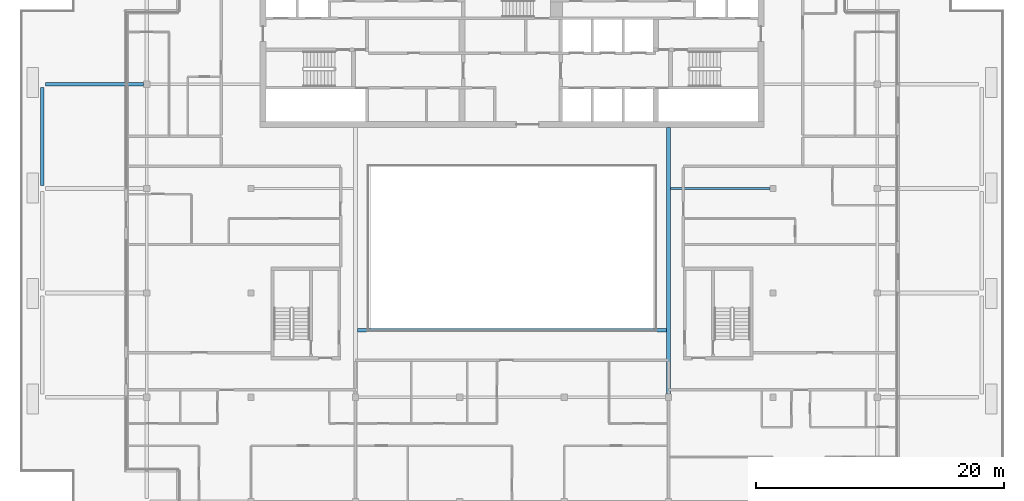
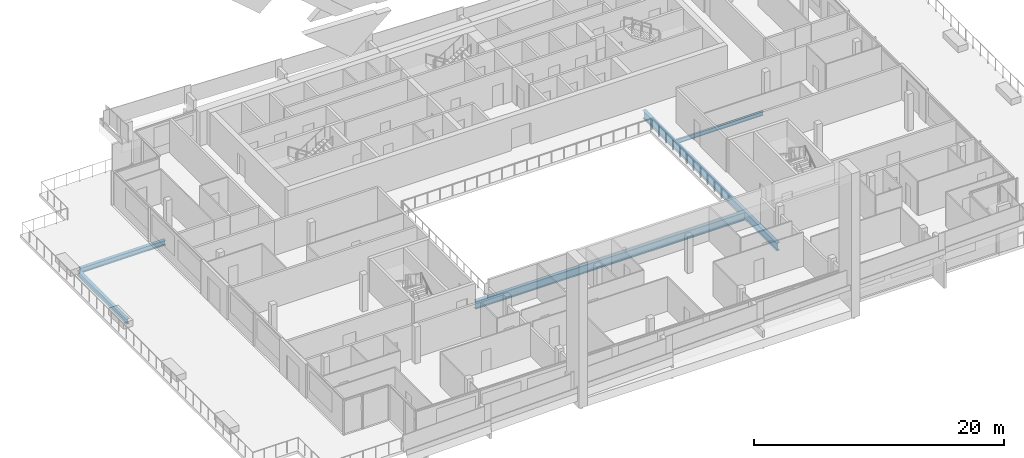
# One storey, part 8 of 29: 5 beams.
"""IFC4 building model written with IfcOpenShell, lengths in metres."""

import ifcopenshell
import ifcopenshell.guid

model = None  # the IFC model being written
_history = None  # IfcOwnerHistory: only IFC2X3 demands one
_inside = {}  # id of a spatial element -> (the spatial element, [elements in it])
_under = {}  # id of a project, library or spatial element -> (it, [spatial elements below it])
_declared = {}  # id of a project -> (the project, [libraries it declares])
_typed = {}  # id of a type object -> (the type object, [elements of that type])
_made_of = {}  # id of a material, layer set ... -> (it, [elements and type objects made of it])


def new_model(schema):
    """Start an empty IFC model of exactly this schema.

    Asked for "IFC4X3", IfcOpenShell would pick the latest addendum, in which some entities
    have other attributes; the version numbers below select the first issue.
    IFC2X3 requires an IfcOwnerHistory on every rooted entity: one is made here for all.
    """
    global model, _history
    if schema == "IFC4X3":
        model = ifcopenshell.file(schema_version=(4, 3, 0, 0))
    else:
        model = ifcopenshell.file(schema=schema)
    _inside.clear()
    _under.clear()
    _declared.clear()
    _typed.clear()
    _made_of.clear()
    _history = None
    if model.schema == "IFC2X3":
        org = make("IfcOrganization", Name="unknown")
        user = make(
            "IfcPersonAndOrganization",
            ThePerson=make("IfcPerson", FamilyName="unknown"),
            TheOrganization=org,
        )
        app = make(
            "IfcApplication",
            ApplicationDeveloper=org,
            Version="unknown",
            ApplicationFullName="unknown",
            ApplicationIdentifier="unknown",
        )
        _history = make(
            "IfcOwnerHistory",
            OwningUser=user,
            OwningApplication=app,
            ChangeAction="ADDED",
            CreationDate=0,
        )
    return model


def make(cls, **values):
    """One entity of the class cls with the attributes given. An attribute that is None is left unset."""
    return model.create_entity(
        cls, **{name: value for name, value in values.items() if value is not None}
    )


def rooted(cls, **values):
    """An entity with a GlobalId (a new one), such as an element, a storey or a relation."""
    return make(cls, GlobalId=ifcopenshell.guid.new(), OwnerHistory=_history, **values)


def si_unit(unit_type, name, prefix=None):
    """IfcSIUnit, for example si_unit("LENGTHUNIT", "METRE", prefix="MILLI")."""
    return make("IfcSIUnit", UnitType=unit_type, Prefix=prefix, Name=name)


def assignment(units):
    """IfcUnitAssignment: the units of a project."""
    return None if units is None else make("IfcUnitAssignment", Units=units)


def point(xyz):
    """IfcCartesianPoint."""
    return None if xyz is None else make("IfcCartesianPoint", Coordinates=xyz)


def direction(xyz):
    """IfcDirection."""
    return None if xyz is None else make("IfcDirection", DirectionRatios=xyz)


def frame(location, z_axis=None, x_axis=None):
    """IfcAxis2Placement3D, a coordinate frame: its origin and axes. An axis left out is left unset."""
    return make(
        "IfcAxis2Placement3D",
        Location=point(location),
        Axis=direction(z_axis),
        RefDirection=direction(x_axis),
    )


def frame_2d(location, x_axis=None):
    """IfcAxis2Placement2D, a coordinate frame in the plane: its origin and x axis."""
    return make(
        "IfcAxis2Placement2D", Location=point(location), RefDirection=direction(x_axis)
    )


def origin():
    """The frame at (0, 0, 0) with its axes left unset."""
    return frame((0.0, 0.0, 0.0))


def origin_2d():
    """The frame at (0, 0) in the plane with its x axis left unset."""
    return frame_2d((0.0, 0.0))


def place(relative_to, where):
    """IfcLocalPlacement: puts the frame where relative to a parent placement (None: the world)."""
    return make(
        "IfcLocalPlacement", PlacementRelTo=relative_to, RelativePlacement=where
    )


def context(
    kind, dimensions, precision=None, world=None, true_north=None, identifier=None
):
    """IfcGeometricRepresentationContext, for example the 3D "Model" context."""
    return make(
        "IfcGeometricRepresentationContext",
        ContextIdentifier=identifier,
        ContextType=kind,
        CoordinateSpaceDimension=dimensions,
        Precision=precision,
        WorldCoordinateSystem=world,
        TrueNorth=true_north,
    )


def subcontext(parent, identifier, kind, view, scale=None):
    """IfcGeometricRepresentationSubContext, for example "Body" below "Model"."""
    return make(
        "IfcGeometricRepresentationSubContext",
        ContextIdentifier=identifier,
        ContextType=kind,
        ParentContext=parent,
        TargetScale=scale,
        TargetView=view,
    )


def project(units=None, contexts=None):
    """IfcProject with its units and contexts."""
    return rooted(
        "IfcProject",
        Name="project",
        RepresentationContexts=contexts,
        UnitsInContext=assignment(units),
    )


def spatial(cls, under=None, at=None, **own):
    """A site, building, storey or space (cls), placed at a placement, below another one or the project."""
    s = rooted(cls, ObjectPlacement=at, **own)
    if under is not None:
        _under.setdefault(under.id(), (under, []))[1].append(s)
    return s


def profile(cls, at=None, kind="AREA", **sizes):
    """A parametric profile (cls). Its sizes go by their IFC names, for example OverallWidth=200.0."""
    return make(cls, ProfileType=kind, Position=at, **sizes)


def i_section(**sizes):
    """IfcIShapeProfileDef."""
    return profile("IfcIShapeProfileDef", **sizes)


def extrude(swept, where, along, depth):
    """IfcExtrudedAreaSolid: the profile swept, set in the frame where, extruded along a direction by depth."""
    return make(
        "IfcExtrudedAreaSolid",
        SweptArea=swept,
        Position=where,
        ExtrudedDirection=direction(along),
        Depth=depth,
    )


def shape(context_of_items, identifier, shape_type, items):
    """IfcShapeRepresentation: the items that make up one representation, for example the "Body"."""
    return make(
        "IfcShapeRepresentation",
        ContextOfItems=context_of_items,
        RepresentationIdentifier=identifier,
        RepresentationType=shape_type,
        Items=items,
    )


def material(Name=None, Category=None):
    """IfcMaterial."""
    return make("IfcMaterial", Name=Name, Category=Category)


def material_profile(
    of_material, cross_section, Name=None, Category=None, Priority=None
):
    """IfcMaterialProfile: a cross section and its material."""
    return make(
        "IfcMaterialProfile",
        Name=Name,
        Material=of_material,
        Profile=cross_section,
        Priority=Priority,
        Category=Category,
    )


def profile_set(profiles, Name=None, composite=None):
    """IfcMaterialProfileSet."""
    return make(
        "IfcMaterialProfileSet",
        Name=Name,
        MaterialProfiles=profiles,
        CompositeProfile=composite,
    )


def made_of(thing, what):
    """Note that an element or type object is made of a material, layer set ...; save() writes the relation."""
    if what is not None:
        _made_of.setdefault(what.id(), (what, []))[1].append(thing)
    return thing


def type_object(cls, material=None, **own):
    """A type object (cls), such as IfcWallType, which elements share."""
    return made_of(rooted(cls, **own), material)


def element(
    cls,
    number,
    at=None,
    inside=None,
    cuts=None,
    type_object=None,
    material=None,
    context=None,
    identifier="Body",
    shape_type=None,
    held_by="IfcProductDefinitionShape",
    body=None,
    shapes=None,
    **own,
):
    """One element of the class cls, such as IfcWall. Its Tag is "e" and its number.

    at: its placement. inside: the storey or other place that contains it. cuts: it is an
    opening in that element (IfcRelVoidsElement). A single representation is given by context,
    identifier, shape_type and body (its items); several are given by shapes. held_by: the class
    of the entity that holds the representations. save() writes the other relations.
    """
    e = rooted(cls, Tag="e%d" % number, ObjectPlacement=at, **own)
    if body is not None:
        shapes = [shape(context, identifier, shape_type, body)]
    if shapes is not None:
        e.Representation = make(held_by, Representations=shapes)
    if inside is not None:
        _inside.setdefault(inside.id(), (inside, []))[1].append(e)
    if cuts is not None:
        rooted(
            "IfcRelVoidsElement", RelatingBuildingElement=cuts, RelatedOpeningElement=e
        )
    if type_object is not None:
        _typed.setdefault(type_object.id(), (type_object, []))[1].append(e)
    return made_of(e, material)


def aggregate(whole, parts):
    """IfcRelAggregates: a whole, such as a stair, and the parts it consists of."""
    return rooted("IfcRelAggregates", RelatingObject=whole, RelatedObjects=parts)


def save(model, path):
    """Write the relations noted so far, then the file.

    IfcRelAggregates (storeys below a building ...), IfcRelContainedInSpatialStructure (elements
    in a storey), IfcRelDefinesByType, IfcRelAssociatesMaterial and IfcRelDeclares: one each for
    every whole, place, type object, material and project.
    """
    for whole, parts in _under.values():
        aggregate(whole, parts)
    for where, things in _inside.values():
        rooted(
            "IfcRelContainedInSpatialStructure",
            RelatedElements=things,
            RelatingStructure=where,
        )
    for kind, things in _typed.values():
        rooted("IfcRelDefinesByType", RelatedObjects=things, RelatingType=kind)
    for what, things in _made_of.values():
        rooted("IfcRelAssociatesMaterial", RelatedObjects=things, RelatingMaterial=what)
    for by, libraries in _declared.values():
        rooted("IfcRelDeclares", RelatingContext=by, RelatedDefinitions=libraries)
    model.write(path)


model = new_model("IFC4")

# Units and contexts
model_context = context("Model", 3, precision=1e-05, world=origin(), true_north=direction((0.0, 1.0)))
body_context = subcontext(model_context, "Body", "Model", "MODEL_VIEW")
ifc_project = project(units=[si_unit("LENGTHUNIT", "METRE"), si_unit("AREAUNIT", "SQUARE_METRE"), si_unit("VOLUMEUNIT", "CUBIC_METRE"), si_unit("PLANEANGLEUNIT", "RADIAN"), si_unit("MASSUNIT", "GRAM", prefix="KILO")], contexts=[model_context])

# Site, building, storey
site_placement = place(None, origin())
site = spatial("IfcSite", under=ifc_project, at=site_placement, CompositionType="ELEMENT")
building_placement = place(site_placement, origin())
building = spatial("IfcBuilding", under=site, at=building_placement, Name="Saffron Gate Tower", CompositionType="ELEMENT")
storey_placement = place(building_placement, frame((0.0, 0.0, 270.75)))
storey = spatial("IfcBuildingStorey", under=building, at=storey_placement, Name="L65", CompositionType="ELEMENT", Elevation=270.75)

# Beams
ifc_material = material(Name="Structural steel S355", Category="steel")
ifc_material_profile_1 = material_profile(ifc_material, i_section(OverallWidth=0.300048828125, OverallDepth=0.7900390625, WebThickness=0.014892578125, FlangeThickness=0.028076171875, FilletRadius=0.030029296875, at=origin_2d()))
ifc_profile_set_1 = profile_set([ifc_material_profile_1], Name="Structural steel S355")
beam_type_1 = type_object("IfcBeamType", Name="B18 HEA 800", PredefinedType="BEAM", material=ifc_profile_set_1)
beam_1_placement = place(storey_placement, frame((100.199951171875, 40.449951171875, -0.675048828125), z_axis=(0.0, 1.0, 0.0), x_axis=(-1.0, 0.0, 0.0)))
element("IfcBeam", 1, at=beam_1_placement, inside=storey, type_object=beam_type_1, Name="B18 ATRIUM GIRDER", PredefinedType="BEAM", context=body_context, shape_type="SweptSolid", body=[
    extrude(i_section(OverallWidth=0.300048828125, OverallDepth=0.7900390625, WebThickness=0.014892578125, FlangeThickness=0.028076171875, FilletRadius=0.030029296875, at=origin_2d()), origin(), (0.0, 0.0, 1.0), 21.449951171875),
])
beam_2_placement = place(storey_placement, frame((75.14990234375, 45.60009765625, -0.675048828125), z_axis=(1.0, 0.0, 0.0), x_axis=(0.0, 1.0, 0.0)))
element("IfcBeam", 2, at=beam_2_placement, inside=storey, type_object=beam_type_1, Name="B18 ATRIUM GIRDER", PredefinedType="BEAM", context=body_context, shape_type="SweptSolid", body=[
    extrude(i_section(OverallWidth=0.300048828125, OverallDepth=0.7900390625, WebThickness=0.014892578125, FlangeThickness=0.028076171875, FilletRadius=0.030029296875, at=origin_2d()), origin(), (0.0, 0.0, 1.0), 24.900146484375),
])
ifc_material_profile_2 = material_profile(ifc_material, i_section(OverallWidth=0.179931640625, OverallDepth=0.39990234375, WebThickness=0.008544921875, FlangeThickness=0.013427734375, FilletRadius=0.02099609375, at=origin_2d()))
ifc_profile_set_2 = profile_set([ifc_material_profile_2], Name="Structural steel S355")
beam_type_2 = type_object("IfcBeamType", Name="B4 IPE 400", PredefinedType="BEAM", material=ifc_profile_set_2)
beam_3_placement = place(storey_placement, frame((108.35009765625, 57.0, -0.47998046875), z_axis=(-1.0, 0.0, 0.0), x_axis=(0.0, -1.0, 0.0)))
element("IfcBeam", 3, at=beam_3_placement, inside=storey, type_object=beam_type_2, Name="B4 CORE TIE BEAM", PredefinedType="BEAM", context=body_context, shape_type="SweptSolid", body=[
    extrude(i_section(OverallWidth=0.179931640625, OverallDepth=0.39990234375, WebThickness=0.008544921875, FlangeThickness=0.013427734375, FilletRadius=0.02099609375, at=origin_2d()), origin(), (0.0, 0.0, 1.0), 8.0),
])
ifc_material_profile_3 = material_profile(ifc_material, i_section(OverallWidth=0.300048828125, OverallDepth=0.489990234375, WebThickness=0.011962890625, FlangeThickness=0.02294921875, FilletRadius=0.027099609375, at=origin_2d()))
ifc_profile_set_3 = profile_set([ifc_material_profile_3], Name="Structural steel S355")
beam_type_3 = type_object("IfcBeamType", Name="B8 HEA 500", PredefinedType="BEAM", material=ifc_profile_set_3)
for number, where, z_axis, x_axis, name in (
    (4, (49.800048828125, 57.25, -0.52490234375), (0.0, 1.0, 0.0), (-1.0, 0.0, 0.0), "B8 TERRACE BEAM"),
    (5, (50.050048828125, 65.39990234375, -0.52490234375), (1.0, 0.0, 0.0), (0.0, 1.0, 0.0), "B8 TERRACE BEAM"),
):
    element("IfcBeam", number, at=place(storey_placement, frame(where, z_axis=z_axis, x_axis=x_axis)), inside=storey, type_object=beam_type_3, Name=name, PredefinedType="BEAM", context=body_context, shape_type="SweptSolid", body=[
        extrude(i_section(OverallWidth=0.300048828125, OverallDepth=0.489990234375, WebThickness=0.011962890625, FlangeThickness=0.02294921875, FilletRadius=0.027099609375, at=origin_2d()), origin(), (0.0, 0.0, 1.0), 7.89990234375),
    ])

save(model, "model.ifc")
